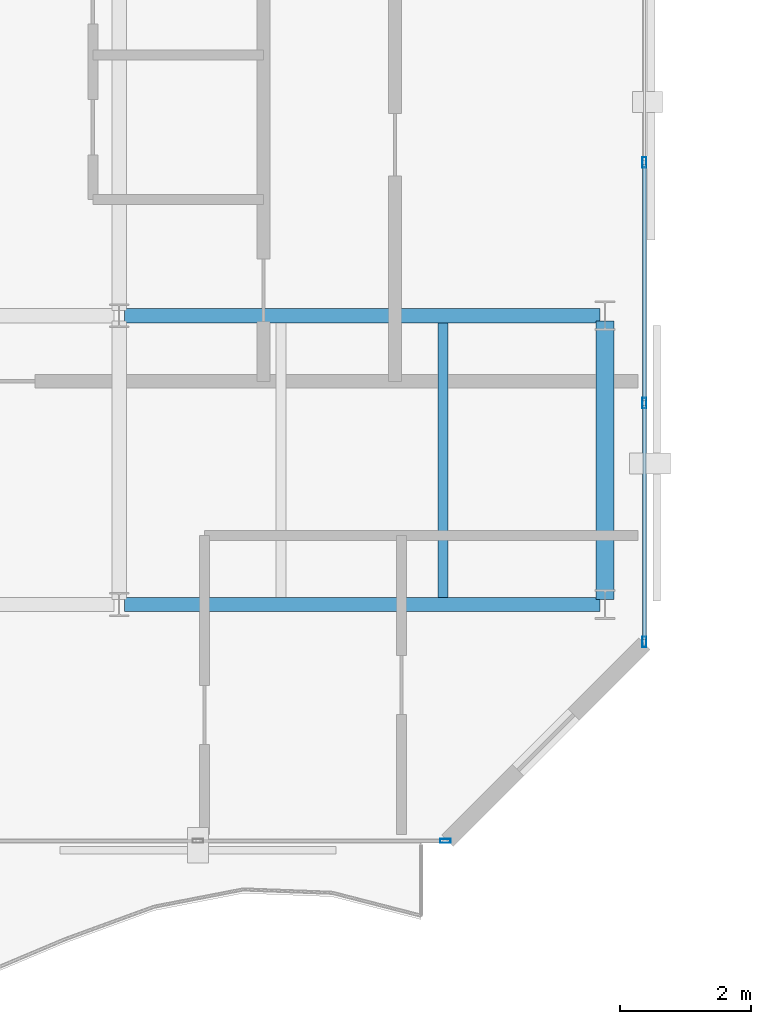
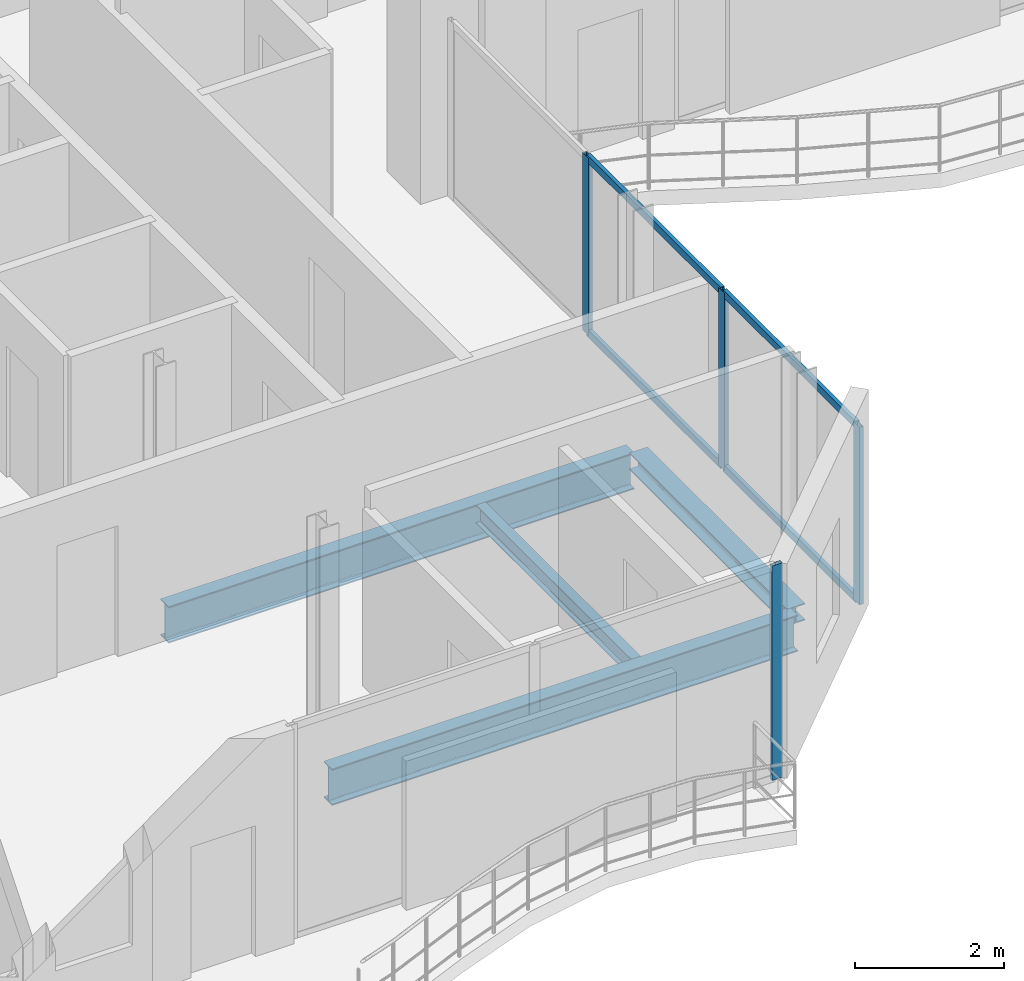
# One storey, part 7 of 22: 8 members, 4 beams, 2 elements without a shape of their own.
"""IFC4 building model written with IfcOpenShell, lengths in metres."""

from ifc_helpers import new_model, si_unit, direction, frame, origin, origin_2d, place, context, subcontext, project, spatial, hollow_rectangle, i_section, extrude, material, layer, layer_set, material_profile, profile_set, type_object, element, aggregate, save


model = new_model("IFC4")

# Units and contexts
model_context = context("Model", 3, precision=1e-05, world=origin(), true_north=direction((0.0, 1.0)))
body_context = subcontext(model_context, "Body", "Model", "MODEL_VIEW")
ifc_project = project(units=[si_unit("LENGTHUNIT", "METRE"), si_unit("AREAUNIT", "SQUARE_METRE"), si_unit("VOLUMEUNIT", "CUBIC_METRE"), si_unit("PLANEANGLEUNIT", "RADIAN"), si_unit("MASSUNIT", "GRAM", prefix="KILO")], contexts=[model_context])

# Site, building, storey
site_placement = place(None, origin())
site = spatial("IfcSite", under=ifc_project, at=site_placement, CompositionType="ELEMENT")
building_placement = place(site_placement, origin())
building = spatial("IfcBuilding", under=site, at=building_placement, Name="Catumbela Crestline Tower", CompositionType="ELEMENT")
storey_placement = place(building_placement, frame((0.0, 0.0, 229.8)))
storey = spatial("IfcBuildingStorey", under=building, at=storey_placement, Name="L59", CompositionType="ELEMENT", Elevation=229.8)

# Beams
ifc_material_1 = material(Name="Structural steel S355J2", Category="steel")
ifc_material_profile_1 = material_profile(ifc_material_1, i_section(OverallWidth=0.22, OverallDepth=0.6, WebThickness=0.012, FlangeThickness=0.019, FilletRadius=0.024, at=origin_2d()), Name="IPE 600")
ifc_profile_set_1 = profile_set([ifc_material_profile_1], Name="Structural steel S355J2")
beam_type_1 = type_object("IfcBeamType", Name="BG-IPE600", PredefinedType="BEAM", material=ifc_profile_set_1)
for number, where, z_axis, x_axis, name in (
    (1, (16.08, 13.6, -0.56), (1.0, 0.0, 0.0), (0.0, 1.0, 0.0), "L59 Beam BM-L59-WEW28"),
    (2, (16.08, 18.0, -0.56), (1.0, 0.0, 0.0), (0.0, 1.0, 0.0), "L59 Beam BM-L59-WEW30"),
):
    element("IfcBeam", number, at=place(storey_placement, frame(where, z_axis=z_axis, x_axis=x_axis)), inside=storey, type_object=beam_type_1, Name=name, PredefinedType="BEAM", context=body_context, shape_type="SweptSolid", body=[
        extrude(i_section(OverallWidth=0.22, OverallDepth=0.6, WebThickness=0.012, FlangeThickness=0.019, FilletRadius=0.024, at=origin_2d()), origin(), (0.0, 0.0, 1.0), 7.24),
    ])
ifc_material_profile_2 = material_profile(ifc_material_1, i_section(OverallWidth=0.15, OverallDepth=0.3, WebThickness=0.0071, FlangeThickness=0.0107, FilletRadius=0.015, at=origin_2d()), Name="IPE 300")
ifc_profile_set_2 = profile_set([ifc_material_profile_2], Name="Structural steel S355J2")
beam_type_2 = type_object("IfcBeamType", Name="BJ-IPE300", PredefinedType="JOIST", material=ifc_profile_set_2)
beam_1_placement = place(storey_placement, frame((20.933, 13.71, -0.41), z_axis=(0.0, 1.0, 0.0), x_axis=(-1.0, 0.0, 0.0)))
element("IfcBeam", 3, at=beam_1_placement, inside=storey, type_object=beam_type_2, Name="L59 Joist JS-L59-WG39", PredefinedType="JOIST", context=body_context, shape_type="SweptSolid", body=[
    extrude(i_section(OverallWidth=0.15, OverallDepth=0.3, WebThickness=0.0071, FlangeThickness=0.0107, FilletRadius=0.015, at=origin_2d()), origin(), (0.0, 0.0, 1.0), 4.18),
])

# Curtain wall, member
ifc_material_2 = material(Name="Aluminium alloy AW-6060-T66", Category="aluminium")
ifc_layer = layer(ifc_material_2, 0.18, Name="Aluminium alloy AW-6060-T66")
ifc_layer_set = layer_set([ifc_layer], Name="Aluminium alloy AW-6060-T66")
curtain_wall_type = type_object("IfcCurtainWallType", Name="CWU-Z4", PredefinedType="USERDEFINED", material=ifc_layer_set)
curtain_wall_1_placement = place(storey_placement, origin())
curtain_wall_1 = element("IfcCurtainWall", 4, at=curtain_wall_1_placement, inside=storey, type_object=curtain_wall_type, Name="L59 Unitised Curtain Wall CW-L59-E0S2", ObjectType="UNITISED", PredefinedType="USERDEFINED")
ifc_material_profile_3 = material_profile(ifc_material_2, hollow_rectangle(XDim=0.06, YDim=0.16, WallThickness=0.004, at=origin_2d()), Name="ALU 160x60x4")
ifc_profile_set_3 = profile_set([ifc_material_profile_3], Name="Aluminium alloy AW-6060-T66")
member_type_1 = type_object("IfcMemberType", Name="MUL-160X60", PredefinedType="MULLION", material=ifc_profile_set_3)
member_1_placement = place(storey_placement, frame((20.9675, 10.0, 0.0), z_axis=(0.0, 0.0, 1.0), x_axis=(0.0, 1.0, 0.0)))
member_1 = element("IfcMember", 5, at=member_1_placement, type_object=member_type_1, Name="CWU-Z4 mullion 3", PredefinedType="MULLION", context=body_context, shape_type="SweptSolid", body=[
    extrude(hollow_rectangle(XDim=0.06, YDim=0.16, WallThickness=0.004, at=origin_2d()), origin(), (0.0, 0.0, 1.0), 3.53),
])
aggregate(curtain_wall_1, [member_1])

# Curtain wall, members
curtain_wall_2_placement = place(storey_placement, origin())
curtain_wall_2 = element("IfcCurtainWall", 6, at=curtain_wall_2_placement, inside=storey, type_object=curtain_wall_type, Name="L59 Unitised Curtain Wall CW-L59-E2S1", ObjectType="UNITISED", PredefinedType="USERDEFINED")
member_2_placement = place(storey_placement, frame((24.0, 13.0325, 0.0), z_axis=(0.0, 0.0, 1.0), x_axis=(-1.0, 0.0, 0.0)))
member_2 = element("IfcMember", 7, at=member_2_placement, type_object=member_type_1, Name="CWU-Z4 mullion 1", PredefinedType="MULLION", context=body_context, shape_type="SweptSolid", body=[
    extrude(hollow_rectangle(XDim=0.06, YDim=0.16, WallThickness=0.004, at=origin_2d()), origin(), (0.0, 0.0, 1.0), 2.92),
])
member_3_placement = place(storey_placement, frame((24.0, 16.6667, 0.0), z_axis=(0.0, 0.0, 1.0), x_axis=(-1.0, 0.0, 0.0)))
member_3 = element("IfcMember", 8, at=member_3_placement, type_object=member_type_1, Name="CWU-Z4 mullion 2", PredefinedType="MULLION", context=body_context, shape_type="SweptSolid", body=[
    extrude(hollow_rectangle(XDim=0.06, YDim=0.16, WallThickness=0.004, at=origin_2d()), origin(), (0.0, 0.0, 1.0), 2.92),
])
member_4_placement = place(storey_placement, frame((24.0, 20.3333, 0.0), z_axis=(0.0, 0.0, 1.0), x_axis=(-1.0, 0.0, 0.0)))
member_4 = element("IfcMember", 9, at=member_4_placement, type_object=member_type_1, Name="CWU-Z4 mullion 3", PredefinedType="MULLION", context=body_context, shape_type="SweptSolid", body=[
    extrude(hollow_rectangle(XDim=0.06, YDim=0.16, WallThickness=0.004, at=origin_2d()), origin(), (0.0, 0.0, 1.0), 2.92),
])

# Beam
ifc_material_profile_4 = material_profile(ifc_material_1, i_section(OverallWidth=0.28, OverallDepth=0.28, WebThickness=0.0105, FlangeThickness=0.018, FilletRadius=0.024, at=origin_2d()), Name="HEB 280")
ifc_profile_set_4 = profile_set([ifc_material_profile_4], Name="Structural steel S355J2")
beam_type_3 = type_object("IfcBeamType", Name="BS-HEB280", PredefinedType="SPANDREL", material=ifc_profile_set_4)
beam_2_placement = place(storey_placement, frame((23.4, 13.68, -0.4), z_axis=(0.0, 1.0, 0.0), x_axis=(-1.0, 0.0, 0.0)))
element("IfcBeam", 10, at=beam_2_placement, inside=storey, type_object=beam_type_3, Name="L59 Spandrel SP-L59-WNS35", PredefinedType="SPANDREL", context=body_context, shape_type="SweptSolid", body=[
    extrude(i_section(OverallWidth=0.28, OverallDepth=0.28, WebThickness=0.0105, FlangeThickness=0.018, FilletRadius=0.024, at=origin_2d()), origin(), (0.0, 0.0, 1.0), 4.24),
])

# Member
ifc_material_profile_5 = material_profile(ifc_material_2, hollow_rectangle(XDim=0.06, YDim=0.12, WallThickness=0.0035, at=origin_2d()), Name="ALU 120x60x3.5")
ifc_profile_set_5 = profile_set([ifc_material_profile_5], Name="Aluminium alloy AW-6060-T66")
member_type_2 = type_object("IfcMemberType", Name="TRN-120X60", PredefinedType="USERDEFINED", material=ifc_profile_set_5)
member_5_placement = place(storey_placement, frame((24.0, 13.065, 0.03), z_axis=(0.0, 1.0, 0.0), x_axis=(-1.0, 0.0, 0.0)))
member_5 = element("IfcMember", 11, at=member_5_placement, type_object=member_type_2, Name="CWU-Z4 transom 1.1", ObjectType="TRANSOM", PredefinedType="USERDEFINED", context=body_context, shape_type="SweptSolid", body=[
    extrude(hollow_rectangle(XDim=0.06, YDim=0.12, WallThickness=0.0035, at=origin_2d()), origin(), (0.0, 0.0, 1.0), 3.5692),
])

member_6_placement = place(storey_placement, frame((24.0, 13.065, 2.89), z_axis=(0.0, 1.0, 0.0), x_axis=(-1.0, 0.0, 0.0)))
member_6 = element("IfcMember", 12, at=member_6_placement, type_object=member_type_2, Name="CWU-Z4 transom 1.2", ObjectType="TRANSOM", PredefinedType="USERDEFINED", context=body_context, shape_type="SweptSolid", body=[
    extrude(hollow_rectangle(XDim=0.06, YDim=0.12, WallThickness=0.0035, at=origin_2d()), origin(), (0.0, 0.0, 1.0), 3.5692),
])

member_7_placement = place(storey_placement, frame((24.0, 16.6992, 0.03), z_axis=(0.0, 1.0, 0.0), x_axis=(-1.0, 0.0, 0.0)))
member_7 = element("IfcMember", 13, at=member_7_placement, type_object=member_type_2, Name="CWU-Z4 transom 2.1", ObjectType="TRANSOM", PredefinedType="USERDEFINED", context=body_context, shape_type="SweptSolid", body=[
    extrude(hollow_rectangle(XDim=0.06, YDim=0.12, WallThickness=0.0035, at=origin_2d()), origin(), (0.0, 0.0, 1.0), 3.6016),
])

member_8_placement = place(storey_placement, frame((24.0, 16.6992, 2.89), z_axis=(0.0, 1.0, 0.0), x_axis=(-1.0, 0.0, 0.0)))
member_8 = element("IfcMember", 14, at=member_8_placement, type_object=member_type_2, Name="CWU-Z4 transom 2.2", ObjectType="TRANSOM", PredefinedType="USERDEFINED", context=body_context, shape_type="SweptSolid", body=[
    extrude(hollow_rectangle(XDim=0.06, YDim=0.12, WallThickness=0.0035, at=origin_2d()), origin(), (0.0, 0.0, 1.0), 3.6016),
])

aggregate(curtain_wall_2, [member_2, member_3, member_4, member_5, member_6, member_7, member_8])

save(model, "model.ifc")
